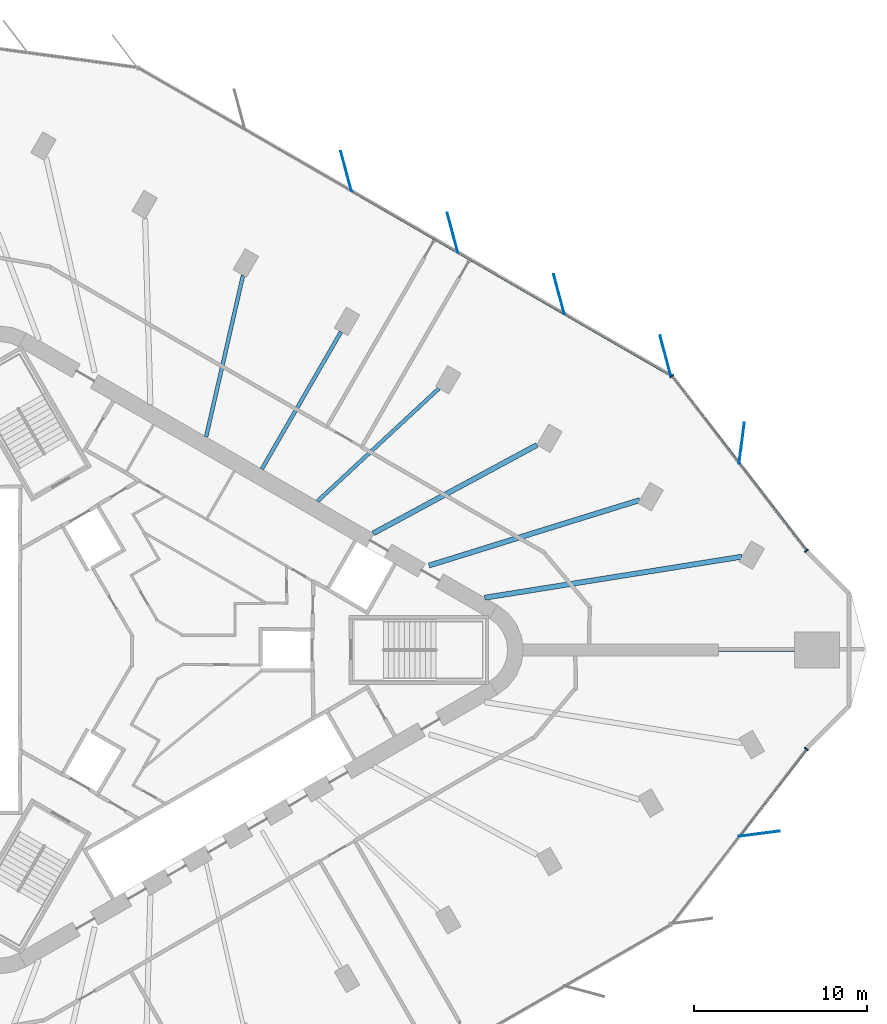
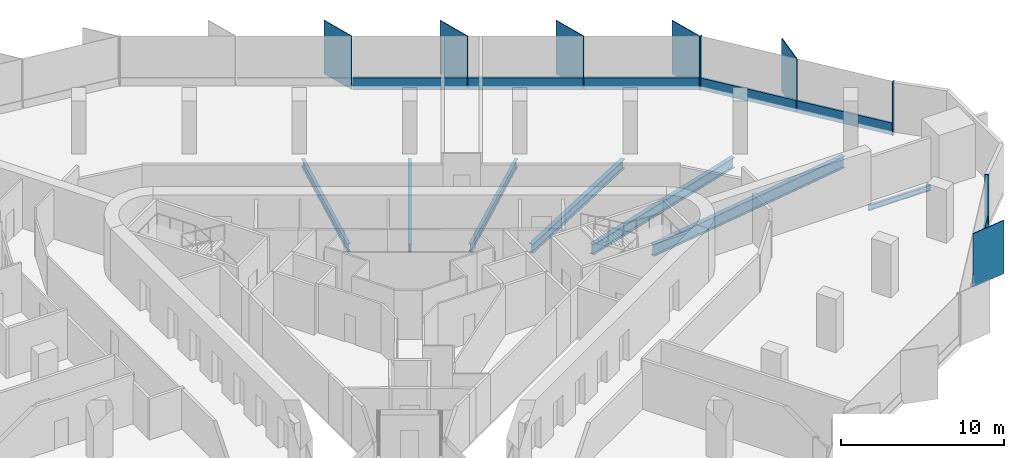
# One storey, part 5 of 14: 15 members, 7 beams, 3 elements without a shape of their own.
"""IFC4 building model written with IfcOpenShell, lengths in metres."""

from ifc_helpers import new_model, si_unit, direction, frame, origin, origin_2d, place, context, subcontext, project, spatial, rectangle, i_section, extrude, material, material_profile, profile_set, type_object, element, aggregate, save


model = new_model("IFC4")

# Units and contexts
model_context = context("Model", 3, precision=1e-05, world=origin(), true_north=direction((0.0, 1.0)))
body_context = subcontext(model_context, "Body", "Model", "MODEL_VIEW")
ifc_project = project(units=[si_unit("LENGTHUNIT", "METRE"), si_unit("AREAUNIT", "SQUARE_METRE"), si_unit("VOLUMEUNIT", "CUBIC_METRE"), si_unit("PLANEANGLEUNIT", "RADIAN"), si_unit("MASSUNIT", "GRAM", prefix="KILO")], contexts=[model_context])

# Site, building, storey
site_placement = place(None, origin())
site = spatial("IfcSite", under=ifc_project, at=site_placement, CompositionType="ELEMENT")
building_placement = place(site_placement, origin())
building = spatial("IfcBuilding", under=site, at=building_placement, Name="Tanit Gate Tower", CompositionType="ELEMENT")
storey_placement = place(building_placement, frame((0.0, 0.0, 237.199951171875)))
storey = spatial("IfcBuildingStorey", under=building, at=storey_placement, Name="L53", CompositionType="ELEMENT", Elevation=237.199951171875)

# Curtain wall, member
ifc_material_1 = material(Name="Aluminium bronze anodised and glass", Category="aluminium")
curtain_wall_type = type_object("IfcCurtainWallType", Name="Curtain wall typical mid", PredefinedType="NOTDEFINED", material=ifc_material_1)
curtain_wall_1_placement = place(storey_placement, origin())
curtain_wall_1 = element("IfcCurtainWall", 1, at=curtain_wall_1_placement, inside=storey, type_object=curtain_wall_type, Name="Curtain wall L53 NE1", PredefinedType="NOTDEFINED")
ifc_material_2 = material(Name="Aluminium bronze anodised", Category="aluminium")
ifc_material_profile_1 = material_profile(ifc_material_2, rectangle(XDim=2.39990234375, YDim=0.055908203125, at=origin_2d()), Name="56x2400 bronze fin mullion")
ifc_profile_set_1 = profile_set([ifc_material_profile_1], Name="Aluminium bronze anodised")
member_type_1 = type_object("IfcMemberType", Name="FIN MULLION 56x2400 bronze", PredefinedType="MULLION", material=ifc_profile_set_1)
member_1_placement = place(storey_placement, frame((33.85791015625, 11.97412109375, -0.300048828125), z_axis=(0.0, 0.0, 1.0), x_axis=(-0.127959021811, -0.991779455694, 0.0)))
member_1 = element("IfcMember", 2, at=member_1_placement, type_object=member_type_1, Name="Fin mullion L53 NE1.2", PredefinedType="MULLION", context=body_context, shape_type="SweptSolid", body=[
    extrude(rectangle(XDim=2.39990234375, YDim=0.055908203125, at=origin_2d()), origin(), (0.0, 0.0, 1.0), 4.0),
])

# Curtain wall, members
curtain_wall_2_placement = place(storey_placement, origin())
curtain_wall_2 = element("IfcCurtainWall", 3, at=curtain_wall_2_placement, inside=storey, type_object=curtain_wall_type, Name="Curtain wall L53 NE2", PredefinedType="NOTDEFINED")
member_2_placement = place(storey_placement, frame((29.439208984375, 17.05517578125, -0.300048828125), z_axis=(0.0, 0.0, 1.0), x_axis=(0.258886020591, -0.965907877772, 0.0)))
member_2 = element("IfcMember", 4, at=member_2_placement, type_object=member_type_1, Name="Fin mullion L53 NE2.1", PredefinedType="MULLION", context=body_context, shape_type="SweptSolid", body=[
    extrude(rectangle(XDim=2.39990234375, YDim=0.055908203125, at=origin_2d()), origin(), (0.0, 0.0, 1.0), 4.0),
])
member_3_placement = place(storey_placement, frame((23.2724609375, 20.614990234375, -0.300048828125), z_axis=(0.0, 0.0, 1.0), x_axis=(0.258886020591, -0.965907877772, 0.0)))
member_3 = element("IfcMember", 5, at=member_3_placement, type_object=member_type_1, Name="Fin mullion L53 NE2.2", PredefinedType="MULLION", context=body_context, shape_type="SweptSolid", body=[
    extrude(rectangle(XDim=2.39990234375, YDim=0.055908203125, at=origin_2d()), origin(), (0.0, 0.0, 1.0), 4.0),
])
member_4_placement = place(storey_placement, frame((17.105712890625, 24.1748046875, -0.300048828125), z_axis=(0.0, 0.0, 1.0), x_axis=(0.258886020591, -0.965907877772, 0.0)))
member_4 = element("IfcMember", 6, at=member_4_placement, type_object=member_type_1, Name="Fin mullion L53 NE2.3", PredefinedType="MULLION", context=body_context, shape_type="SweptSolid", body=[
    extrude(rectangle(XDim=2.39990234375, YDim=0.055908203125, at=origin_2d()), origin(), (0.0, 0.0, 1.0), 4.0),
])
member_5_placement = place(storey_placement, frame((10.93896484375, 27.734619140625, -0.300048828125), z_axis=(0.0, 0.0, 1.0), x_axis=(0.258886020591, -0.965907877772, 0.0)))
member_5 = element("IfcMember", 7, at=member_5_placement, type_object=member_type_1, Name="Fin mullion L53 NE2.4", PredefinedType="MULLION", context=body_context, shape_type="SweptSolid", body=[
    extrude(rectangle(XDim=2.39990234375, YDim=0.055908203125, at=origin_2d()), origin(), (0.0, 0.0, 1.0), 4.0),
])

# Curtain wall, member
curtain_wall_3_placement = place(storey_placement, origin())
curtain_wall_3 = element("IfcCurtainWall", 8, at=curtain_wall_3_placement, inside=storey, type_object=curtain_wall_type, Name="Curtain wall L53 SE3", PredefinedType="NOTDEFINED")
member_6_placement = place(storey_placement, frame((34.87548828125, -10.6533203125, -0.300048828125), z_axis=(0.0, 0.0, 1.0), x_axis=(-0.991802209768, -0.127782536751, 0.0)))
member_6 = element("IfcMember", 9, at=member_6_placement, type_object=member_type_1, Name="Fin mullion L53 SE3.2", PredefinedType="MULLION", context=body_context, shape_type="SweptSolid", body=[
    extrude(rectangle(XDim=2.39990234375, YDim=0.055908203125, at=origin_2d()), origin(), (0.0, 0.0, 1.0), 4.0),
])

# Member
ifc_material_3 = material(Name="Aluminium bronze anodised", Category="aluminium")
ifc_material_profile_2 = material_profile(ifc_material_3, rectangle(XDim=0.260009765625, YDim=0.080078125, at=origin_2d()), Name="80x260 bronze mullion")
ifc_profile_set_2 = profile_set([ifc_material_profile_2], Name="Aluminium bronze anodised")
member_type_2 = type_object("IfcMemberType", Name="Mullion 80x260 typical mid", PredefinedType="MULLION", material=ifc_profile_set_2)
member_7_placement = place(storey_placement, frame((37.610595703125, 5.744873046875, -0.300048828125), z_axis=(0.0, 0.0, 1.0), x_axis=(-0.791774670599, -0.610813286526, 0.0)))
member_7 = element("IfcMember", 10, at=member_7_placement, type_object=member_type_2, Name="Mullion L53 NE1.1", PredefinedType="MULLION", context=body_context, shape_type="SweptSolid", body=[
    extrude(rectangle(XDim=0.260009765625, YDim=0.080078125, at=origin_2d()), origin(), (0.0, 0.0, 1.0), 4.0),
])

member_8_placement = place(storey_placement, frame((29.803466796875, 15.864990234375, -0.300048828125), z_axis=(0.0, 0.0, 1.0), x_axis=(-0.791774670599, -0.610813286526, 0.0)))
member_8 = element("IfcMember", 11, at=member_8_placement, type_object=member_type_2, Name="Mullion L53 NE1.3", PredefinedType="MULLION", context=body_context, shape_type="SweptSolid", body=[
    extrude(rectangle(XDim=0.260009765625, YDim=0.080078125, at=origin_2d()), origin(), (0.0, 0.0, 1.0), 4.0),
])

member_9_placement = place(storey_placement, frame((37.610595703125, -5.744873046875, -0.300048828125), z_axis=(0.0, 0.0, 1.0), x_axis=(-0.791665966377, 0.610954169869, 0.0)))
member_9 = element("IfcMember", 12, at=member_9_placement, type_object=member_type_2, Name="Mullion L53 SE3.3", PredefinedType="MULLION", context=body_context, shape_type="SweptSolid", body=[
    extrude(rectangle(XDim=0.260009765625, YDim=0.080078125, at=origin_2d()), origin(), (0.0, 0.0, 1.0), 4.0),
])

# Beams
ifc_material_4 = material(Name="Steel S355", Category="steel")
ifc_material_profile_3 = material_profile(ifc_material_4, i_section(OverallWidth=0.300048828125, OverallDepth=0.68994140625, WebThickness=0.014404296875, FlangeThickness=0.027099609375, FilletRadius=0.027099609375, at=origin_2d()), Name="HEA 700")
ifc_profile_set_3 = profile_set([ifc_material_profile_3], Name="Steel S355")
beam_type_1 = type_object("IfcBeamType", Name="RADIAL GIRDER HEA 700 S355", PredefinedType="BEAM", material=ifc_profile_set_3)
beam_1_placement = place(storey_placement, frame((21.993896484375, 11.873046875, -0.64501953125), z_axis=(-0.879968075352, -0.475032826614, 0.0), x_axis=(0.475032826614, -0.879968075352, 0.0)))
element("IfcBeam", 13, at=beam_1_placement, inside=storey, type_object=beam_type_1, Name="RADIAL GIRDER", PredefinedType="BEAM", context=body_context, shape_type="SweptSolid", body=[
    extrude(i_section(OverallWidth=0.300048828125, OverallDepth=0.68994140625, WebThickness=0.014404296875, FlangeThickness=0.027099609375, FilletRadius=0.027099609375, at=origin_2d()), origin(), (0.0, 0.0, 1.0), 10.779541015625),
])
ifc_material_5 = material(Name="Steel S355", Category="steel")
ifc_material_profile_4 = material_profile(ifc_material_5, i_section(OverallWidth=0.300048828125, OverallDepth=0.7900390625, WebThickness=0.014892578125, FlangeThickness=0.028076171875, FilletRadius=0.030029296875, at=origin_2d()), Name="HEA 800")
ifc_profile_set_4 = profile_set([ifc_material_profile_4], Name="Steel S355")
beam_type_2 = type_object("IfcBeamType", Name="RADIAL GIRDER HEA 800 S355", PredefinedType="BEAM", material=ifc_profile_set_4)
beam_2_placement = place(storey_placement, frame((27.947998046875, 8.681396484375, -0.695068359375), z_axis=(-0.954989554266, -0.296639429684, 0.0), x_axis=(0.296639429684, -0.954989554266, 0.0)))
element("IfcBeam", 14, at=beam_2_placement, inside=storey, type_object=beam_type_2, Name="RADIAL GIRDER", PredefinedType="BEAM", context=body_context, shape_type="SweptSolid", body=[
    extrude(i_section(OverallWidth=0.300048828125, OverallDepth=0.7900390625, WebThickness=0.014892578125, FlangeThickness=0.028076171875, FilletRadius=0.030029296875, at=origin_2d()), origin(), (0.0, 0.0, 1.0), 12.786376953125),
])
ifc_material_6 = material(Name="Steel S355", Category="steel")
ifc_material_profile_5 = material_profile(ifc_material_6, i_section(OverallWidth=0.300048828125, OverallDepth=0.889892578125, WebThickness=0.01611328125, FlangeThickness=0.030029296875, FilletRadius=0.030029296875, at=origin_2d()), Name="HEA 900")
ifc_profile_set_5 = profile_set([ifc_material_profile_5], Name="Steel S355")
beam_type_3 = type_object("IfcBeamType", Name="RADIAL GIRDER HEA 900 S355", PredefinedType="BEAM", material=ifc_profile_set_5)
beam_3_placement = place(storey_placement, frame((33.872802734375, 5.4013671875, -0.744873046875), z_axis=(-0.987524864709, -0.157463143563, 0.0), x_axis=(0.157463143563, -0.987524864709, 0.0)))
element("IfcBeam", 15, at=beam_3_placement, inside=storey, type_object=beam_type_3, Name="RADIAL GIRDER", PredefinedType="BEAM", context=body_context, shape_type="SweptSolid", body=[
    extrude(i_section(OverallWidth=0.300048828125, OverallDepth=0.889892578125, WebThickness=0.01611328125, FlangeThickness=0.030029296875, FilletRadius=0.030029296875, at=origin_2d()), origin(), (0.0, 0.0, 1.0), 15.09521484375),
])
ifc_material_7 = material(Name="Steel S355", Category="steel")
ifc_material_profile_6 = material_profile(ifc_material_7, i_section(OverallWidth=0.179931640625, OverallDepth=0.39990234375, WebThickness=0.008544921875, FlangeThickness=0.013427734375, FilletRadius=0.02099609375, at=origin_2d()), Name="IPE 400")
ifc_profile_set_6 = profile_set([ifc_material_profile_6], Name="Steel S355")
beam_type_4 = type_object("IfcBeamType", Name="RADIAL GIRDER IPE 400 S355", PredefinedType="BEAM", material=ifc_profile_set_6)
beam_4_placement = place(storey_placement, frame((36.919677734375, 0.0, -0.5), z_axis=(-1.0, 0.0, 0.0), x_axis=(0.0, -1.0, 0.0)))
element("IfcBeam", 16, at=beam_4_placement, inside=storey, type_object=beam_type_4, Name="RADIAL GIRDER", PredefinedType="BEAM", context=body_context, shape_type="SweptSolid", body=[
    extrude(i_section(OverallWidth=0.179931640625, OverallDepth=0.39990234375, WebThickness=0.008544921875, FlangeThickness=0.013427734375, FilletRadius=0.02099609375, at=origin_2d()), origin(), (0.0, 0.0, 1.0), 4.401611328125),
])
ifc_material_8 = material(Name="Steel S355", Category="steel")
ifc_material_profile_7 = material_profile(ifc_material_8, i_section(OverallWidth=0.219970703125, OverallDepth=0.60009765625, WebThickness=0.011962890625, FlangeThickness=0.01904296875, FilletRadius=0.02392578125, at=origin_2d()), Name="IPE 600")
ifc_profile_set_7 = profile_set([ifc_material_profile_7], Name="Steel S355")
beam_type_5 = type_object("IfcBeamType", Name="RADIAL GIRDER IPE 600 S355", PredefinedType="BEAM", material=ifc_profile_set_7)
beam_5_placement = place(storey_placement, frame((16.316650390625, 15.150634765625, -0.599853515625), z_axis=(-0.73280888542, -0.680434521059, 0.0), x_axis=(0.680434521059, -0.73280888542, 0.0)))
element("IfcBeam", 17, at=beam_5_placement, inside=storey, type_object=beam_type_5, Name="RADIAL GIRDER", PredefinedType="BEAM", context=body_context, shape_type="SweptSolid", body=[
    extrude(i_section(OverallWidth=0.219970703125, OverallDepth=0.60009765625, WebThickness=0.011962890625, FlangeThickness=0.01904296875, FilletRadius=0.02392578125, at=origin_2d()), origin(), (0.0, 0.0, 1.0), 9.6025390625),
])
beam_6_placement = place(storey_placement, frame((10.6396484375, 18.428466796875, -0.599853515625), z_axis=(-0.499998789643, -0.866026102583, 0.0), x_axis=(0.866026102583, -0.499998789643, 0.0)))
element("IfcBeam", 18, at=beam_6_placement, inside=storey, type_object=beam_type_5, Name="RADIAL GIRDER", PredefinedType="BEAM", context=body_context, shape_type="SweptSolid", body=[
    extrude(i_section(OverallWidth=0.219970703125, OverallDepth=0.60009765625, WebThickness=0.011962890625, FlangeThickness=0.01904296875, FilletRadius=0.02392578125, at=origin_2d()), origin(), (0.0, 0.0, 1.0), 9.17724609375),
])
beam_7_placement = place(storey_placement, frame((4.962646484375, 21.7060546875, -0.599853515625), z_axis=(-0.222889001119, -0.974843830149, 0.0), x_axis=(0.974843830149, -0.222889001119, 0.0)))
element("IfcBeam", 19, at=beam_7_placement, inside=storey, type_object=beam_type_5, Name="RADIAL GIRDER", PredefinedType="BEAM", context=body_context, shape_type="SweptSolid", body=[
    extrude(i_section(OverallWidth=0.219970703125, OverallDepth=0.60009765625, WebThickness=0.011962890625, FlangeThickness=0.01904296875, FilletRadius=0.02392578125, at=origin_2d()), origin(), (0.0, 0.0, 1.0), 9.602783203125),
])

# Member
ifc_material_9 = material(Name="Aluminium bronze anodised", Category="aluminium")
ifc_material_profile_8 = material_profile(ifc_material_9, rectangle(XDim=0.139892578125, YDim=0.89990234375, at=origin_2d()), Name="140x900 bronze transom")
ifc_profile_set_8 = profile_set([ifc_material_profile_8], Name="Aluminium bronze anodised")
member_type_3 = type_object("IfcMemberType", Name="Transom 140x900 typical mid", PredefinedType="USERDEFINED", material=ifc_profile_set_8)
member_10_placement = place(storey_placement, frame((37.586181640625, 5.776611328125, 0.150146484375), z_axis=(-0.610826321635, 0.791764614515, 0.0), x_axis=(-0.791764614515, -0.610826321635, 0.0)))
member_10 = element("IfcMember", 20, at=member_10_placement, type_object=member_type_3, Name="Transom L53 NE1.1", ObjectType="TRANSOM", PredefinedType="USERDEFINED", context=body_context, shape_type="SweptSolid", body=[
    extrude(rectangle(XDim=0.139892578125, YDim=0.89990234375, at=origin_2d()), origin(), (0.0, 0.0, 1.0), 6.310791015625),
])

member_11_placement = place(storey_placement, frame((33.6826171875, 10.836669921875, 0.150146484375), z_axis=(-0.610826321635, 0.791764614515, 0.0), x_axis=(-0.791764614515, -0.610826321635, 0.0)))
member_11 = element("IfcMember", 21, at=member_11_placement, type_object=member_type_3, Name="Transom L53 NE1.2", ObjectType="TRANSOM", PredefinedType="USERDEFINED", context=body_context, shape_type="SweptSolid", body=[
    extrude(rectangle(XDim=0.139892578125, YDim=0.89990234375, at=origin_2d()), origin(), (0.0, 0.0, 1.0), 6.310791015625),
])

aggregate(curtain_wall_1, [member_7, member_1, member_8, member_10, member_11])

member_12_placement = place(storey_placement, frame((29.709716796875, 15.9365234375, 0.150146484375), z_axis=(-0.866060282556, 0.499939583328, 0.0), x_axis=(-0.499939583328, -0.866060282556, 0.0)))
member_12 = element("IfcMember", 22, at=member_12_placement, type_object=member_type_3, Name="Transom L53 NE2.1", ObjectType="TRANSOM", PredefinedType="USERDEFINED", context=body_context, shape_type="SweptSolid", body=[
    extrude(rectangle(XDim=0.139892578125, YDim=0.89990234375, at=origin_2d()), origin(), (0.0, 0.0, 1.0), 7.040283203125),
])

member_13_placement = place(storey_placement, frame((23.54296875, 19.496337890625, 0.150146484375), z_axis=(-0.866060282556, 0.499939583328, 0.0), x_axis=(-0.499939583328, -0.866060282556, 0.0)))
member_13 = element("IfcMember", 23, at=member_13_placement, type_object=member_type_3, Name="Transom L53 NE2.2", ObjectType="TRANSOM", PredefinedType="USERDEFINED", context=body_context, shape_type="SweptSolid", body=[
    extrude(rectangle(XDim=0.139892578125, YDim=0.89990234375, at=origin_2d()), origin(), (0.0, 0.0, 1.0), 7.040283203125),
])

member_14_placement = place(storey_placement, frame((17.376220703125, 23.05615234375, 0.150146484375), z_axis=(-0.866060282556, 0.499939583328, 0.0), x_axis=(-0.499939583328, -0.866060282556, 0.0)))
member_14 = element("IfcMember", 24, at=member_14_placement, type_object=member_type_3, Name="Transom L53 NE2.3", ObjectType="TRANSOM", PredefinedType="USERDEFINED", context=body_context, shape_type="SweptSolid", body=[
    extrude(rectangle(XDim=0.139892578125, YDim=0.89990234375, at=origin_2d()), origin(), (0.0, 0.0, 1.0), 7.040283203125),
])

aggregate(curtain_wall_2, [member_2, member_3, member_4, member_5, member_12, member_13, member_14])

member_15_placement = place(storey_placement, frame((33.730712890625, -10.772216796875, 0.150146484375), z_axis=(0.61097391648, 0.791650726887, 0.0), x_axis=(-0.791650726887, 0.61097391648, 0.0)))
member_15 = element("IfcMember", 25, at=member_15_placement, type_object=member_type_3, Name="Transom L53 SE3.2", ObjectType="TRANSOM", PredefinedType="USERDEFINED", context=body_context, shape_type="SweptSolid", body=[
    extrude(rectangle(XDim=0.139892578125, YDim=0.89990234375, at=origin_2d()), origin(), (0.0, 0.0, 1.0), 6.310302734375),
])

aggregate(curtain_wall_3, [member_6, member_9, member_15])

save(model, "model.ifc")
